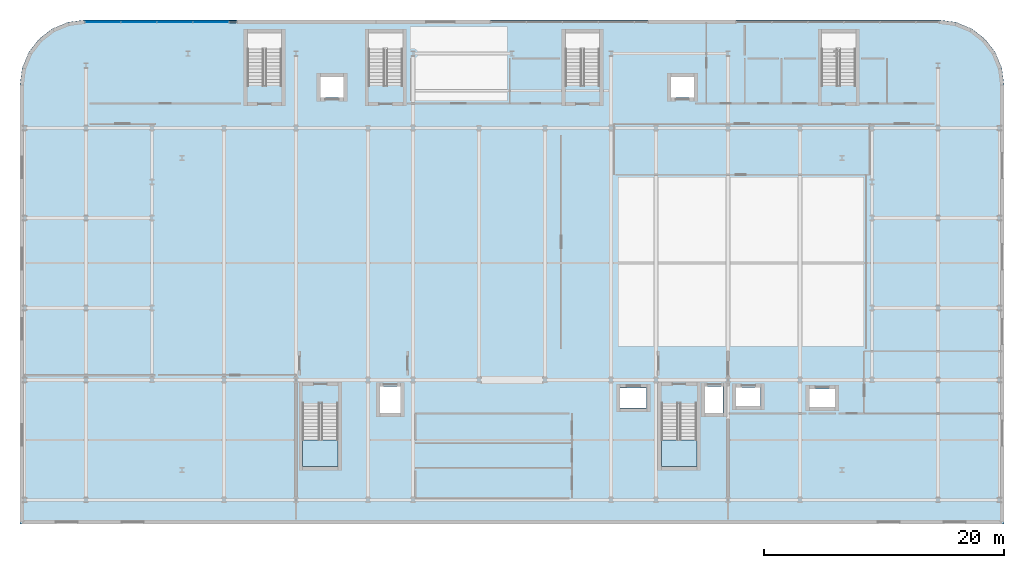
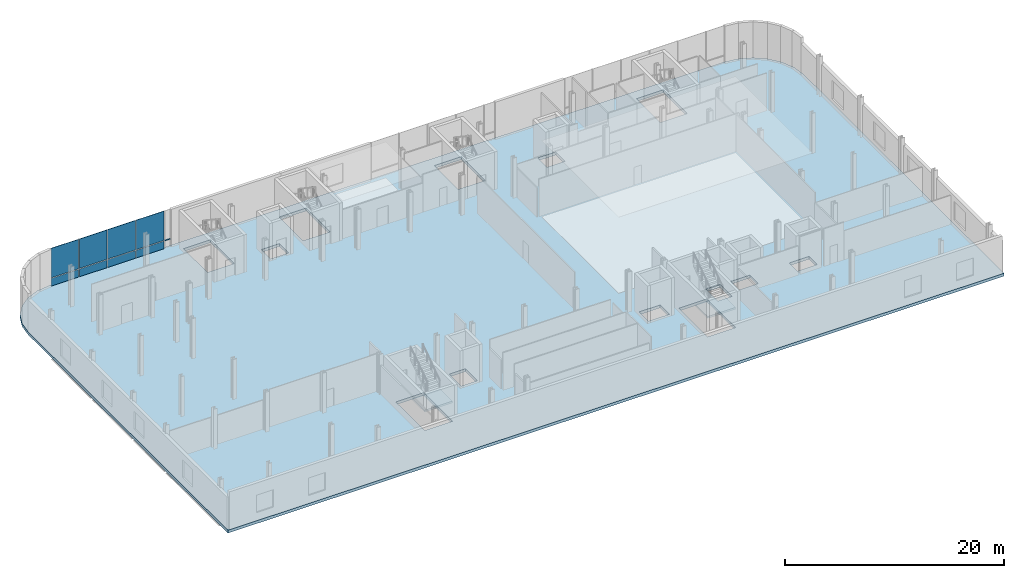
# One storey, part 14 of 25: 8 plates, 3 slabs, 1 member, 3 elements without a shape of their own.
"""IFC4 building model written with IfcOpenShell, lengths in metres."""

import ifcopenshell
import ifcopenshell.guid

model = None  # the IFC model being written
_history = None  # IfcOwnerHistory: only IFC2X3 demands one
_inside = {}  # id of a spatial element -> (the spatial element, [elements in it])
_under = {}  # id of a project, library or spatial element -> (it, [spatial elements below it])
_declared = {}  # id of a project -> (the project, [libraries it declares])
_typed = {}  # id of a type object -> (the type object, [elements of that type])
_made_of = {}  # id of a material, layer set ... -> (it, [elements and type objects made of it])


def new_model(schema):
    """Start an empty IFC model of exactly this schema.

    Asked for "IFC4X3", IfcOpenShell would pick the latest addendum, in which some entities
    have other attributes; the version numbers below select the first issue.
    IFC2X3 requires an IfcOwnerHistory on every rooted entity: one is made here for all.
    """
    global model, _history
    if schema == "IFC4X3":
        model = ifcopenshell.file(schema_version=(4, 3, 0, 0))
    else:
        model = ifcopenshell.file(schema=schema)
    _inside.clear()
    _under.clear()
    _declared.clear()
    _typed.clear()
    _made_of.clear()
    _history = None
    if model.schema == "IFC2X3":
        org = make("IfcOrganization", Name="unknown")
        user = make(
            "IfcPersonAndOrganization",
            ThePerson=make("IfcPerson", FamilyName="unknown"),
            TheOrganization=org,
        )
        app = make(
            "IfcApplication",
            ApplicationDeveloper=org,
            Version="unknown",
            ApplicationFullName="unknown",
            ApplicationIdentifier="unknown",
        )
        _history = make(
            "IfcOwnerHistory",
            OwningUser=user,
            OwningApplication=app,
            ChangeAction="ADDED",
            CreationDate=0,
        )
    return model


def make(cls, **values):
    """One entity of the class cls with the attributes given. An attribute that is None is left unset."""
    return model.create_entity(
        cls, **{name: value for name, value in values.items() if value is not None}
    )


def rooted(cls, **values):
    """An entity with a GlobalId (a new one), such as an element, a storey or a relation."""
    return make(cls, GlobalId=ifcopenshell.guid.new(), OwnerHistory=_history, **values)


def si_unit(unit_type, name, prefix=None):
    """IfcSIUnit, for example si_unit("LENGTHUNIT", "METRE", prefix="MILLI")."""
    return make("IfcSIUnit", UnitType=unit_type, Prefix=prefix, Name=name)


def assignment(units):
    """IfcUnitAssignment: the units of a project."""
    return None if units is None else make("IfcUnitAssignment", Units=units)


def point(xyz):
    """IfcCartesianPoint."""
    return None if xyz is None else make("IfcCartesianPoint", Coordinates=xyz)


def direction(xyz):
    """IfcDirection."""
    return None if xyz is None else make("IfcDirection", DirectionRatios=xyz)


def frame(location, z_axis=None, x_axis=None):
    """IfcAxis2Placement3D, a coordinate frame: its origin and axes. An axis left out is left unset."""
    return make(
        "IfcAxis2Placement3D",
        Location=point(location),
        Axis=direction(z_axis),
        RefDirection=direction(x_axis),
    )


def frame_2d(location, x_axis=None):
    """IfcAxis2Placement2D, a coordinate frame in the plane: its origin and x axis."""
    return make(
        "IfcAxis2Placement2D", Location=point(location), RefDirection=direction(x_axis)
    )


def origin():
    """The frame at (0, 0, 0) with its axes left unset."""
    return frame((0.0, 0.0, 0.0))


def origin_2d():
    """The frame at (0, 0) in the plane with its x axis left unset."""
    return frame_2d((0.0, 0.0))


def place(relative_to, where):
    """IfcLocalPlacement: puts the frame where relative to a parent placement (None: the world)."""
    return make(
        "IfcLocalPlacement", PlacementRelTo=relative_to, RelativePlacement=where
    )


def context(
    kind, dimensions, precision=None, world=None, true_north=None, identifier=None
):
    """IfcGeometricRepresentationContext, for example the 3D "Model" context."""
    return make(
        "IfcGeometricRepresentationContext",
        ContextIdentifier=identifier,
        ContextType=kind,
        CoordinateSpaceDimension=dimensions,
        Precision=precision,
        WorldCoordinateSystem=world,
        TrueNorth=true_north,
    )


def subcontext(parent, identifier, kind, view, scale=None):
    """IfcGeometricRepresentationSubContext, for example "Body" below "Model"."""
    return make(
        "IfcGeometricRepresentationSubContext",
        ContextIdentifier=identifier,
        ContextType=kind,
        ParentContext=parent,
        TargetScale=scale,
        TargetView=view,
    )


def project(units=None, contexts=None):
    """IfcProject with its units and contexts."""
    return rooted(
        "IfcProject",
        Name="project",
        RepresentationContexts=contexts,
        UnitsInContext=assignment(units),
    )


def spatial(cls, under=None, at=None, **own):
    """A site, building, storey or space (cls), placed at a placement, below another one or the project."""
    s = rooted(cls, ObjectPlacement=at, **own)
    if under is not None:
        _under.setdefault(under.id(), (under, []))[1].append(s)
    return s


def polyline(points):
    """IfcPolyline through the points."""
    return make("IfcPolyline", Points=[point(p) for p in points])


def profile(cls, at=None, kind="AREA", **sizes):
    """A parametric profile (cls). Its sizes go by their IFC names, for example OverallWidth=200.0."""
    return make(cls, ProfileType=kind, Position=at, **sizes)


def rectangle(**sizes):
    """IfcRectangleProfileDef."""
    return profile("IfcRectangleProfileDef", **sizes)


def hollow_rectangle(**sizes):
    """IfcRectangleHollowProfileDef."""
    return profile("IfcRectangleHollowProfileDef", **sizes)


def outline(outer, holes=None, kind="AREA"):
    """IfcArbitraryClosedProfileDef: a profile drawn as a closed curve; with holes, ...WithVoids."""
    if holes is None:
        return make("IfcArbitraryClosedProfileDef", ProfileType=kind, OuterCurve=outer)
    return make(
        "IfcArbitraryProfileDefWithVoids",
        ProfileType=kind,
        OuterCurve=outer,
        InnerCurves=holes,
    )


def extrude(swept, where, along, depth):
    """IfcExtrudedAreaSolid: the profile swept, set in the frame where, extruded along a direction by depth."""
    return make(
        "IfcExtrudedAreaSolid",
        SweptArea=swept,
        Position=where,
        ExtrudedDirection=direction(along),
        Depth=depth,
    )


def shape(context_of_items, identifier, shape_type, items):
    """IfcShapeRepresentation: the items that make up one representation, for example the "Body"."""
    return make(
        "IfcShapeRepresentation",
        ContextOfItems=context_of_items,
        RepresentationIdentifier=identifier,
        RepresentationType=shape_type,
        Items=items,
    )


def material(Name=None, Category=None):
    """IfcMaterial."""
    return make("IfcMaterial", Name=Name, Category=Category)


def layer(
    of_material, thickness, ventilated=None, Name=None, Category=None, Priority=None
):
    """IfcMaterialLayer: one layer of a wall or slab, of a material (None: an air gap)."""
    return make(
        "IfcMaterialLayer",
        Material=of_material,
        LayerThickness=thickness,
        IsVentilated=ventilated,
        Name=Name,
        Category=Category,
        Priority=Priority,
    )


def layer_set(layers, Name=None):
    """IfcMaterialLayerSet."""
    return make("IfcMaterialLayerSet", MaterialLayers=layers, LayerSetName=Name)


def material_profile(
    of_material, cross_section, Name=None, Category=None, Priority=None
):
    """IfcMaterialProfile: a cross section and its material."""
    return make(
        "IfcMaterialProfile",
        Name=Name,
        Material=of_material,
        Profile=cross_section,
        Priority=Priority,
        Category=Category,
    )


def profile_set(profiles, Name=None, composite=None):
    """IfcMaterialProfileSet."""
    return make(
        "IfcMaterialProfileSet",
        Name=Name,
        MaterialProfiles=profiles,
        CompositeProfile=composite,
    )


def made_of(thing, what):
    """Note that an element or type object is made of a material, layer set ...; save() writes the relation."""
    if what is not None:
        _made_of.setdefault(what.id(), (what, []))[1].append(thing)
    return thing


def type_object(cls, material=None, **own):
    """A type object (cls), such as IfcWallType, which elements share."""
    return made_of(rooted(cls, **own), material)


def element(
    cls,
    number,
    at=None,
    inside=None,
    cuts=None,
    type_object=None,
    material=None,
    context=None,
    identifier="Body",
    shape_type=None,
    held_by="IfcProductDefinitionShape",
    body=None,
    shapes=None,
    **own,
):
    """One element of the class cls, such as IfcWall. Its Tag is "e" and its number.

    at: its placement. inside: the storey or other place that contains it. cuts: it is an
    opening in that element (IfcRelVoidsElement). A single representation is given by context,
    identifier, shape_type and body (its items); several are given by shapes. held_by: the class
    of the entity that holds the representations. save() writes the other relations.
    """
    e = rooted(cls, Tag="e%d" % number, ObjectPlacement=at, **own)
    if body is not None:
        shapes = [shape(context, identifier, shape_type, body)]
    if shapes is not None:
        e.Representation = make(held_by, Representations=shapes)
    if inside is not None:
        _inside.setdefault(inside.id(), (inside, []))[1].append(e)
    if cuts is not None:
        rooted(
            "IfcRelVoidsElement", RelatingBuildingElement=cuts, RelatedOpeningElement=e
        )
    if type_object is not None:
        _typed.setdefault(type_object.id(), (type_object, []))[1].append(e)
    return made_of(e, material)


def aggregate(whole, parts):
    """IfcRelAggregates: a whole, such as a stair, and the parts it consists of."""
    return rooted("IfcRelAggregates", RelatingObject=whole, RelatedObjects=parts)


def save(model, path):
    """Write the relations noted so far, then the file.

    IfcRelAggregates (storeys below a building ...), IfcRelContainedInSpatialStructure (elements
    in a storey), IfcRelDefinesByType, IfcRelAssociatesMaterial and IfcRelDeclares: one each for
    every whole, place, type object, material and project.
    """
    for whole, parts in _under.values():
        aggregate(whole, parts)
    for where, things in _inside.values():
        rooted(
            "IfcRelContainedInSpatialStructure",
            RelatedElements=things,
            RelatingStructure=where,
        )
    for kind, things in _typed.values():
        rooted("IfcRelDefinesByType", RelatedObjects=things, RelatingType=kind)
    for what, things in _made_of.values():
        rooted("IfcRelAssociatesMaterial", RelatedObjects=things, RelatingMaterial=what)
    for by, libraries in _declared.values():
        rooted("IfcRelDeclares", RelatingContext=by, RelatedDefinitions=libraries)
    model.write(path)


model = new_model("IFC4")

# Units and contexts
model_context = context("Model", 3, precision=1e-05, world=origin(), true_north=direction((0.0, 1.0)))
body_context = subcontext(model_context, "Body", "Model", "MODEL_VIEW")
ifc_project = project(units=[si_unit("LENGTHUNIT", "METRE"), si_unit("AREAUNIT", "SQUARE_METRE"), si_unit("VOLUMEUNIT", "CUBIC_METRE"), si_unit("PLANEANGLEUNIT", "RADIAN"), si_unit("MASSUNIT", "GRAM", prefix="KILO")], contexts=[model_context])

# Site, building, storey
site_placement = place(None, origin())
site = spatial("IfcSite", under=ifc_project, at=site_placement, CompositionType="ELEMENT")
building_placement = place(site_placement, origin())
building = spatial("IfcBuilding", under=site, at=building_placement, Name="Brevholm Reach", CompositionType="ELEMENT")
storey_placement = place(building_placement, frame((0.0, 0.0, 4.5)))
storey = spatial("IfcBuildingStorey", under=building, at=storey_placement, Name="L01", CompositionType="ELEMENT", Elevation=4.5)

# Curtain wall, member, plates
ifc_material_1 = material(Name="Dark Anodised Aluminium 6063-T6 and Solar-Control Glass", Category="aluminium")
ifc_layer_1 = layer(ifc_material_1, 0.1650390625)
ifc_layer_set_1 = layer_set([ifc_layer_1], Name="Dark Anodised Aluminium 6063-T6 and Solar-Control Glass")
curtain_wall_type = type_object("IfcCurtainWallType", Name="CW-03", PredefinedType="NOTDEFINED", material=ifc_layer_set_1)
curtain_wall_placement = place(storey_placement, origin())
curtain_wall = element("IfcCurtainWall", 1, at=curtain_wall_placement, inside=storey, type_object=curtain_wall_type, Name="L01 Curtain Wall CW-03", PredefinedType="NOTDEFINED")
ifc_material_2 = material(Name="Dark Anodised Aluminium 6063-T6", Category="aluminium")
ifc_material_profile = material_profile(ifc_material_2, hollow_rectangle(XDim=0.070068359375, YDim=0.1650390625, WallThickness=0.0048828125, InnerFilletRadius=0.0048828125, OuterFilletRadius=0.010009765625, at=origin_2d()), Name="RHS 165x70x5")
ifc_profile_set = profile_set([ifc_material_profile], Name="Dark Anodised Aluminium 6063-T6")
member_type = type_object("IfcMemberType", Name="CWT-165", PredefinedType="NOTDEFINED", material=ifc_profile_set)
member_placement = place(storey_placement, frame((6.43505859375, 39.830078125, 0.89990234375), z_axis=(1.0, 0.0, 0.0), x_axis=(0.0, 0.0, 1.0)))
member = element("IfcMember", 2, at=member_placement, type_object=member_type, Name="CT-165 Transom 5.1", ObjectType="TRANSOM", PredefinedType="USERDEFINED", context=body_context, shape_type="SweptSolid", body=[
    extrude(hollow_rectangle(XDim=0.070068359375, YDim=0.1650390625, WallThickness=0.0048828125, InnerFilletRadius=0.0048828125, OuterFilletRadius=0.010009765625, at=origin_2d()), origin(), (0.0, 0.0, 1.0), 0.594970703125),
])
ifc_material_3 = material(Name="Triple-Glazed Acoustic School IGU Glass", Category="glass")
ifc_layer_2 = layer(ifc_material_3, 0.0439453125)
ifc_layer_set_2 = layer_set([ifc_layer_2], Name="Triple-Glazed Acoustic School IGU Glass")
plate_type = type_object("IfcPlateType", Name="CWP-ACU-44", PredefinedType="CURTAIN_PANEL", material=ifc_layer_set_2)
plate_1_placement = place(storey_placement, frame((-4.08251953125, 39.830078125, 0.0), z_axis=(0.0, 0.0, 1.0), x_axis=(1.0, 0.0, 0.0)))
plate_1 = element("IfcPlate", 3, at=plate_1_placement, type_object=plate_type, Name="CP-03 Glazing Panel 1.1", PredefinedType="CURTAIN_PANEL", context=body_context, shape_type="SweptSolid", body=[
    extrude(rectangle(XDim=2.89501953125, YDim=0.0439453125, at=origin_2d()), origin(), (0.0, 0.0, 1.0), 0.864990234375),
])
plate_2_placement = place(storey_placement, frame((-4.08251953125, 39.830078125, 0.93505859375), z_axis=(0.0, 0.0, 1.0), x_axis=(1.0, 0.0, 0.0)))
plate_2 = element("IfcPlate", 4, at=plate_2_placement, type_object=plate_type, Name="CP-03 Glazing Panel 1.2", PredefinedType="CURTAIN_PANEL", context=body_context, shape_type="SweptSolid", body=[
    extrude(rectangle(XDim=2.89501953125, YDim=0.0439453125, at=origin_2d()), origin(), (0.0, 0.0, 1.0), 3.284912109375),
])
plate_3_placement = place(storey_placement, frame((-1.10009765625, 39.830078125, 0.0), z_axis=(0.0, 0.0, 1.0), x_axis=(1.0, 0.0, 0.0)))
plate_3 = element("IfcPlate", 5, at=plate_3_placement, type_object=plate_type, Name="CP-03 Glazing Panel 2.1", PredefinedType="CURTAIN_PANEL", context=body_context, shape_type="SweptSolid", body=[
    extrude(rectangle(XDim=2.929931640625, YDim=0.0439453125, at=origin_2d()), origin(), (0.0, 0.0, 1.0), 0.864990234375),
])
plate_4_placement = place(storey_placement, frame((-1.10009765625, 39.830078125, 0.93505859375), z_axis=(0.0, 0.0, 1.0), x_axis=(1.0, 0.0, 0.0)))
plate_4 = element("IfcPlate", 6, at=plate_4_placement, type_object=plate_type, Name="CP-03 Glazing Panel 2.2", PredefinedType="CURTAIN_PANEL", context=body_context, shape_type="SweptSolid", body=[
    extrude(rectangle(XDim=2.929931640625, YDim=0.0439453125, at=origin_2d()), origin(), (0.0, 0.0, 1.0), 3.284912109375),
])
plate_5_placement = place(storey_placement, frame((1.89990234375, 39.830078125, 0.0), z_axis=(0.0, 0.0, 1.0), x_axis=(1.0, 0.0, 0.0)))
plate_5 = element("IfcPlate", 7, at=plate_5_placement, type_object=plate_type, Name="CP-03 Glazing Panel 3.1", PredefinedType="CURTAIN_PANEL", context=body_context, shape_type="SweptSolid", body=[
    extrude(rectangle(XDim=2.929931640625, YDim=0.0439453125, at=origin_2d()), origin(), (0.0, 0.0, 1.0), 0.864990234375),
])
plate_6_placement = place(storey_placement, frame((1.89990234375, 39.830078125, 0.93505859375), z_axis=(0.0, 0.0, 1.0), x_axis=(1.0, 0.0, 0.0)))
plate_6 = element("IfcPlate", 8, at=plate_6_placement, type_object=plate_type, Name="CP-03 Glazing Panel 3.2", PredefinedType="CURTAIN_PANEL", context=body_context, shape_type="SweptSolid", body=[
    extrude(rectangle(XDim=2.929931640625, YDim=0.0439453125, at=origin_2d()), origin(), (0.0, 0.0, 1.0), 3.284912109375),
])
plate_7_placement = place(storey_placement, frame((4.89990234375, 39.830078125, 0.0), z_axis=(0.0, 0.0, 1.0), x_axis=(1.0, 0.0, 0.0)))
plate_7 = element("IfcPlate", 9, at=plate_7_placement, type_object=plate_type, Name="CP-03 Glazing Panel 4.1", PredefinedType="CURTAIN_PANEL", context=body_context, shape_type="SweptSolid", body=[
    extrude(rectangle(XDim=2.929931640625, YDim=0.0439453125, at=origin_2d()), origin(), (0.0, 0.0, 1.0), 0.864990234375),
])
plate_8_placement = place(storey_placement, frame((4.89990234375, 39.830078125, 0.93505859375), z_axis=(0.0, 0.0, 1.0), x_axis=(1.0, 0.0, 0.0)))
plate_8 = element("IfcPlate", 10, at=plate_8_placement, type_object=plate_type, Name="CP-03 Glazing Panel 4.2", PredefinedType="CURTAIN_PANEL", context=body_context, shape_type="SweptSolid", body=[
    extrude(rectangle(XDim=2.929931640625, YDim=0.0439453125, at=origin_2d()), origin(), (0.0, 0.0, 1.0), 3.284912109375),
])
aggregate(curtain_wall, [plate_1, plate_2, plate_3, plate_4, plate_5, plate_6, plate_7, plate_8, member])

# Slab
ifc_material_4 = material(Name="Concrete C40/50", Category="concrete")
ifc_layer_3 = layer(ifc_material_4, 0.320068359375)
ifc_layer_set_3 = layer_set([ifc_layer_3], Name="Concrete C40/50")
slab_type_1 = type_object("IfcSlabType", Name="SLB-FL-320", PredefinedType="FLOOR", material=ifc_layer_set_3)
slab_1_placement = place(storey_placement, frame((0.0, 0.0, -0.320068359375)))
element("IfcSlab", 11, at=slab_1_placement, inside=storey, type_object=slab_type_1, Name="L01 Suspended Floor Slab (main)", PredefinedType="FLOOR", context=body_context, shape_type="SweptSolid", body=[
    extrude(outline(polyline([(-11.0, -2.0), (71.0, -2.0), (71.0, 34.60009765625), (70.81591796875, 35.99755859375), (70.276611328125, 37.300048828125), (69.41845703125, 38.41845703125), (68.300048828125, 39.276611328125), (66.99755859375, 39.81591796875), (65.60009765625, 40.0), (-5.60009765625, 40.0), (-6.99755859375, 39.81591796875), (-8.300048828125, 39.276611328125), (-9.41845703125, 38.41845703125), (-10.276611328125, 37.300048828125), (-10.81591796875, 35.99755859375), (-11.0, 34.60009765625), (-11.0, -2.0)]), holes=[polyline([(12.550048828125, 2.780029296875), (15.5, 2.780029296875), (15.5, 8.044921875), (12.550048828125, 8.044921875), (12.550048828125, 2.780029296875)]), polyline([(42.449951171875, 2.780029296875), (45.39990234375, 2.780029296875), (45.39990234375, 8.044921875), (42.449951171875, 8.044921875), (42.449951171875, 2.780029296875)]), polyline([(7.949951171875, 34.554931640625), (10.800048828125, 34.554931640625), (10.800048828125, 38.929931640625), (7.949951171875, 38.929931640625), (7.949951171875, 34.554931640625)]), polyline([(18.050048828125, 34.554931640625), (20.89990234375, 34.554931640625), (20.89990234375, 38.929931640625), (18.050048828125, 38.929931640625), (18.050048828125, 34.554931640625)]), polyline([(34.449951171875, 34.554931640625), (37.300048828125, 34.554931640625), (37.300048828125, 38.929931640625), (34.449951171875, 38.929931640625), (34.449951171875, 34.554931640625)]), polyline([(55.800048828125, 34.554931640625), (58.64990234375, 34.554931640625), (58.64990234375, 38.929931640625), (55.800048828125, 38.929931640625), (55.800048828125, 34.554931640625)]), polyline([(19.0, 7.25), (20.699951171875, 7.25), (20.699951171875, 9.449951171875), (19.0, 9.449951171875), (19.0, 7.25)]), polyline([(46.10009765625, 7.25), (47.60009765625, 7.25), (47.60009765625, 9.449951171875), (46.10009765625, 9.449951171875), (46.10009765625, 7.25)]), polyline([(48.675048828125, 7.824951171875), (50.72509765625, 7.824951171875), (50.72509765625, 9.375), (48.675048828125, 9.375), (48.675048828125, 7.824951171875)]), polyline([(54.800048828125, 7.75), (56.89990234375, 7.75), (56.89990234375, 9.25), (54.800048828125, 9.25), (54.800048828125, 7.75)]), polyline([(39.02001953125, 7.64990234375), (41.219970703125, 7.64990234375), (41.219970703125, 9.35009765625), (39.02001953125, 9.35009765625), (39.02001953125, 7.64990234375)]), polyline([(14.050048828125, 33.550048828125), (15.949951171875, 33.550048828125), (15.949951171875, 35.25), (14.050048828125, 35.25), (14.050048828125, 33.550048828125)]), polyline([(43.25, 33.550048828125), (45.14990234375, 33.550048828125), (45.14990234375, 35.25), (43.25, 35.25), (43.25, 33.550048828125)])]), origin(), (0.0, 0.0, 1.0), 0.320068359375),
])

# Stair, slab
ifc_material_5 = material(Name="Precast Concrete C40/50", Category="concrete")
stair_type = type_object("IfcStairType", Name="STR-ESC-1400", PredefinedType="DOUBLE_RETURN_STAIR", material=ifc_material_5)
stair_1_placement = place(storey_placement, origin())
stair_1 = element("IfcStair", 12, at=stair_1_placement, inside=storey, type_object=stair_type, Name="L01 ST-1", PredefinedType="DOUBLE_RETURN_STAIR")
ifc_material_6 = material(Name="Concrete C40/50", Category="concrete")
ifc_layer_4 = layer(ifc_material_6, 0.199951171875)
ifc_layer_set_4 = layer_set([ifc_layer_4], Name="Concrete C40/50")
slab_type_2 = type_object("IfcSlabType", Name="SLB-LND-200", PredefinedType="LANDING", material=ifc_layer_set_4)
slab_2_placement = place(storey_placement, frame((0.0, 0.0, 2.050048828125)))
slab_2 = element("IfcSlab", 13, at=slab_2_placement, type_object=slab_type_2, Name="ST-1 landing 1", PredefinedType="LANDING", context=body_context, shape_type="SweptSolid", body=[
    extrude(outline(polyline([(12.550048828125, 5.02001953125), (12.550048828125, 2.780029296875), (15.5, 2.780029296875), (15.5, 5.02001953125), (12.550048828125, 5.02001953125)])), origin(), (0.0, 0.0, 1.0), 0.199951171875),
])
aggregate(stair_1, [slab_2])

stair_2_placement = place(storey_placement, origin())
stair_2 = element("IfcStair", 14, at=stair_2_placement, inside=storey, type_object=stair_type, Name="L01 ST-2", PredefinedType="DOUBLE_RETURN_STAIR")
slab_3_placement = place(storey_placement, frame((0.0, 0.0, 2.050048828125)))
slab_3 = element("IfcSlab", 15, at=slab_3_placement, type_object=slab_type_2, Name="ST-2 landing 1", PredefinedType="LANDING", context=body_context, shape_type="SweptSolid", body=[
    extrude(outline(polyline([(42.449951171875, 5.02001953125), (42.449951171875, 2.780029296875), (45.39990234375, 2.780029296875), (45.39990234375, 5.02001953125), (42.449951171875, 5.02001953125)])), origin(), (0.0, 0.0, 1.0), 0.199951171875),
])
aggregate(stair_2, [slab_3])

save(model, "model.ifc")
